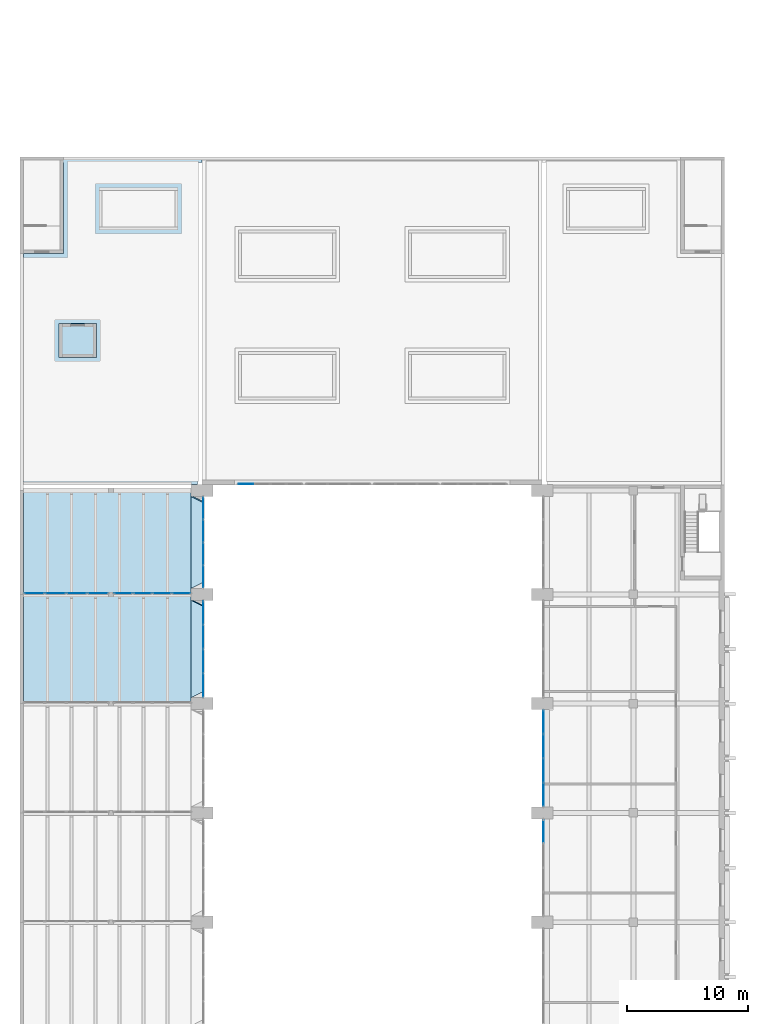
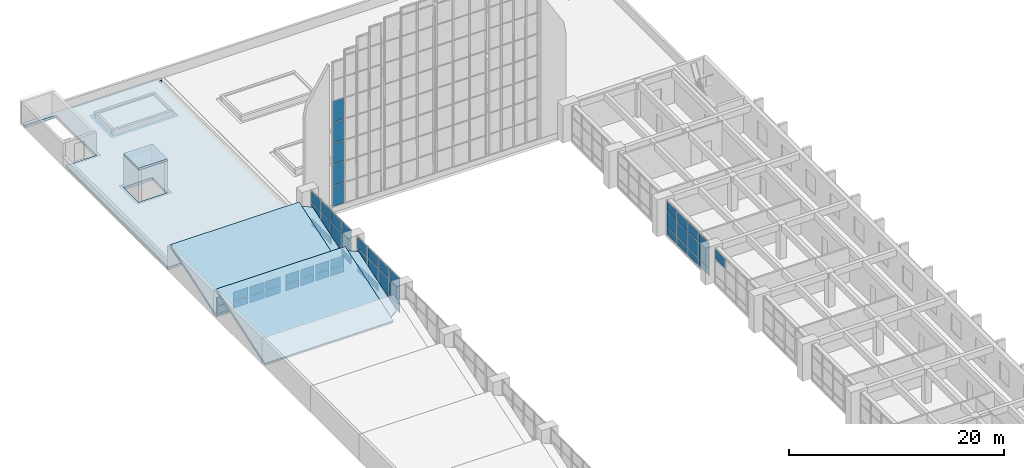
# One storey, part 26 of 43: 58 plates, 6 slabs, 13 elements without a shape of their own.
"""IFC4 building model written with IfcOpenShell, lengths in metres."""

from ifc_helpers import new_model, si_unit, direction, frame, origin, origin_2d, place, context, subcontext, project, spatial, polyline, rectangle, outline, extrude, material, layer, layer_set, type_object, element, aggregate, save


model = new_model("IFC4")

# Units and contexts
model_context = context("Model", 3, precision=1e-05, world=origin(), true_north=direction((0.0, 1.0)))
body_context = subcontext(model_context, "Body", "Model", "MODEL_VIEW")
ifc_project = project(units=[si_unit("LENGTHUNIT", "METRE"), si_unit("AREAUNIT", "SQUARE_METRE"), si_unit("VOLUMEUNIT", "CUBIC_METRE"), si_unit("PLANEANGLEUNIT", "RADIAN"), si_unit("MASSUNIT", "GRAM", prefix="KILO")], contexts=[model_context])

# Site, building, storey
site_placement = place(None, origin())
site = spatial("IfcSite", under=ifc_project, at=site_placement, CompositionType="ELEMENT")
building_placement = place(site_placement, origin())
building = spatial("IfcBuilding", under=site, at=building_placement, Name="Elmora Arch Market Hall", CompositionType="ELEMENT")
storey_placement = place(building_placement, frame((0.0, 0.0, 10.199951171875)))
storey = spatial("IfcBuildingStorey", under=building, at=storey_placement, Name="L02", CompositionType="ELEMENT", Elevation=10.199951171875)

# Curtain wall, plate
ifc_material_1 = material(Name="Aluminium", Category="aluminium")
curtain_wall_type_1 = type_object("IfcCurtainWallType", Name="Hall front curtain wall", PredefinedType="NOTDEFINED", material=ifc_material_1)
curtain_wall_1_placement = place(storey_placement, origin())
curtain_wall_1 = element("IfcCurtainWall", 1, at=curtain_wall_1_placement, inside=storey, type_object=curtain_wall_type_1, Name="Wing front E L02 5", PredefinedType="NOTDEFINED")
ifc_material_2 = material(Name="Glass", Category="glass")
ifc_layer_1 = layer(ifc_material_2, 0.028076171875)
ifc_layer_set_1 = layer_set([ifc_layer_1], Name="Glass")
plate_type = type_object("IfcPlateType", Name="Glass panel 28", PredefinedType="CURTAIN_PANEL", material=ifc_layer_set_1)
plate_1_placement = place(storey_placement, frame((43.10009765625, 70.47998046875, 2.72998046875), z_axis=(0.0, 0.0, 1.0), x_axis=(0.0, 1.0, 0.0)))
plate_1 = element("IfcPlate", 2, at=plate_1_placement, type_object=plate_type, Name="CW2 panel 4.3", PredefinedType="CURTAIN_PANEL", context=body_context, shape_type="SweptSolid", body=[
    extrude(rectangle(XDim=1.8798828125, YDim=0.028076171875, at=origin_2d()), origin(), (0.0, 0.0, 1.0), 1.110107421875),
])
aggregate(curtain_wall_1, [plate_1])

# Curtain wall, plates
curtain_wall_2_placement = place(storey_placement, origin())
curtain_wall_2 = element("IfcCurtainWall", 3, at=curtain_wall_2_placement, inside=storey, type_object=curtain_wall_type_1, Name="Wing front E L02 6", PredefinedType="NOTDEFINED")
plate_2_placement = place(storey_placement, frame((43.10009765625, 73.52001953125, 0.06005859375), z_axis=(0.0, 0.0, 1.0), x_axis=(0.0, 1.0, 0.0)))
plate_2 = element("IfcPlate", 4, at=plate_2_placement, type_object=plate_type, Name="CW2 panel 1.1", PredefinedType="CURTAIN_PANEL", context=body_context, shape_type="SweptSolid", body=[
    extrude(rectangle(XDim=1.8798828125, YDim=0.028076171875, at=origin_2d()), origin(), (0.0, 0.0, 1.0), 0.81005859375),
])
plate_3_placement = place(storey_placement, frame((43.10009765625, 73.52001953125, 0.93017578125), z_axis=(0.0, 0.0, 1.0), x_axis=(0.0, 1.0, 0.0)))
plate_3 = element("IfcPlate", 5, at=plate_3_placement, type_object=plate_type, Name="CW2 panel 1.2", PredefinedType="CURTAIN_PANEL", context=body_context, shape_type="SweptSolid", body=[
    extrude(rectangle(XDim=1.8798828125, YDim=0.028076171875, at=origin_2d()), origin(), (0.0, 0.0, 1.0), 1.739990234375),
])
plate_4_placement = place(storey_placement, frame((43.10009765625, 73.52001953125, 2.72998046875), z_axis=(0.0, 0.0, 1.0), x_axis=(0.0, 1.0, 0.0)))
plate_4 = element("IfcPlate", 6, at=plate_4_placement, type_object=plate_type, Name="CW2 panel 1.3", PredefinedType="CURTAIN_PANEL", context=body_context, shape_type="SweptSolid", body=[
    extrude(rectangle(XDim=1.8798828125, YDim=0.028076171875, at=origin_2d()), origin(), (0.0, 0.0, 1.0), 1.110107421875),
])
plate_5_placement = place(storey_placement, frame((43.10009765625, 75.5, 0.06005859375), z_axis=(0.0, 0.0, 1.0), x_axis=(0.0, 1.0, 0.0)))
plate_5 = element("IfcPlate", 7, at=plate_5_placement, type_object=plate_type, Name="CW2 panel 2.1", PredefinedType="CURTAIN_PANEL", context=body_context, shape_type="SweptSolid", body=[
    extrude(rectangle(XDim=1.919921875, YDim=0.028076171875, at=origin_2d()), origin(), (0.0, 0.0, 1.0), 0.81005859375),
])
plate_6_placement = place(storey_placement, frame((43.10009765625, 75.5, 0.93017578125), z_axis=(0.0, 0.0, 1.0), x_axis=(0.0, 1.0, 0.0)))
plate_6 = element("IfcPlate", 8, at=plate_6_placement, type_object=plate_type, Name="CW2 panel 2.2", PredefinedType="CURTAIN_PANEL", context=body_context, shape_type="SweptSolid", body=[
    extrude(rectangle(XDim=1.919921875, YDim=0.028076171875, at=origin_2d()), origin(), (0.0, 0.0, 1.0), 1.739990234375),
])
plate_7_placement = place(storey_placement, frame((43.10009765625, 75.5, 2.72998046875), z_axis=(0.0, 0.0, 1.0), x_axis=(0.0, 1.0, 0.0)))
plate_7 = element("IfcPlate", 9, at=plate_7_placement, type_object=plate_type, Name="CW2 panel 2.3", PredefinedType="CURTAIN_PANEL", context=body_context, shape_type="SweptSolid", body=[
    extrude(rectangle(XDim=1.919921875, YDim=0.028076171875, at=origin_2d()), origin(), (0.0, 0.0, 1.0), 1.110107421875),
])
plate_8_placement = place(storey_placement, frame((43.10009765625, 77.5, 0.06005859375), z_axis=(0.0, 0.0, 1.0), x_axis=(0.0, 1.0, 0.0)))
plate_8 = element("IfcPlate", 10, at=plate_8_placement, type_object=plate_type, Name="CW2 panel 3.1", PredefinedType="CURTAIN_PANEL", context=body_context, shape_type="SweptSolid", body=[
    extrude(rectangle(XDim=1.919921875, YDim=0.028076171875, at=origin_2d()), origin(), (0.0, 0.0, 1.0), 0.81005859375),
])
plate_9_placement = place(storey_placement, frame((43.10009765625, 77.5, 0.93017578125), z_axis=(0.0, 0.0, 1.0), x_axis=(0.0, 1.0, 0.0)))
plate_9 = element("IfcPlate", 11, at=plate_9_placement, type_object=plate_type, Name="CW2 panel 3.2", PredefinedType="CURTAIN_PANEL", context=body_context, shape_type="SweptSolid", body=[
    extrude(rectangle(XDim=1.919921875, YDim=0.028076171875, at=origin_2d()), origin(), (0.0, 0.0, 1.0), 1.739990234375),
])
plate_10_placement = place(storey_placement, frame((43.10009765625, 77.5, 2.72998046875), z_axis=(0.0, 0.0, 1.0), x_axis=(0.0, 1.0, 0.0)))
plate_10 = element("IfcPlate", 12, at=plate_10_placement, type_object=plate_type, Name="CW2 panel 3.3", PredefinedType="CURTAIN_PANEL", context=body_context, shape_type="SweptSolid", body=[
    extrude(rectangle(XDim=1.919921875, YDim=0.028076171875, at=origin_2d()), origin(), (0.0, 0.0, 1.0), 1.110107421875),
])
plate_11_placement = place(storey_placement, frame((43.10009765625, 79.47998046875, 0.06005859375), z_axis=(0.0, 0.0, 1.0), x_axis=(0.0, 1.0, 0.0)))
plate_11 = element("IfcPlate", 13, at=plate_11_placement, type_object=plate_type, Name="CW2 panel 4.1", PredefinedType="CURTAIN_PANEL", context=body_context, shape_type="SweptSolid", body=[
    extrude(rectangle(XDim=1.8798828125, YDim=0.028076171875, at=origin_2d()), origin(), (0.0, 0.0, 1.0), 0.81005859375),
])
plate_12_placement = place(storey_placement, frame((43.10009765625, 79.47998046875, 0.93017578125), z_axis=(0.0, 0.0, 1.0), x_axis=(0.0, 1.0, 0.0)))
plate_12 = element("IfcPlate", 14, at=plate_12_placement, type_object=plate_type, Name="CW2 panel 4.2", PredefinedType="CURTAIN_PANEL", context=body_context, shape_type="SweptSolid", body=[
    extrude(rectangle(XDim=1.8798828125, YDim=0.028076171875, at=origin_2d()), origin(), (0.0, 0.0, 1.0), 1.739990234375),
])
plate_13_placement = place(storey_placement, frame((43.10009765625, 79.47998046875, 2.72998046875), z_axis=(0.0, 0.0, 1.0), x_axis=(0.0, 1.0, 0.0)))
plate_13 = element("IfcPlate", 15, at=plate_13_placement, type_object=plate_type, Name="CW2 panel 4.3", PredefinedType="CURTAIN_PANEL", context=body_context, shape_type="SweptSolid", body=[
    extrude(rectangle(XDim=1.8798828125, YDim=0.028076171875, at=origin_2d()), origin(), (0.0, 0.0, 1.0), 1.110107421875),
])
aggregate(curtain_wall_2, [plate_2, plate_3, plate_4, plate_5, plate_6, plate_7, plate_8, plate_9, plate_10, plate_11, plate_12, plate_13])

ifc_material_3 = material(Name="Aluminium", Category="aluminium")
curtain_wall_type_2 = type_object("IfcCurtainWallType", Name="Gable curtain wall", PredefinedType="NOTDEFINED", material=ifc_material_3)
curtain_wall_3_placement = place(storey_placement, origin())
curtain_wall_3 = element("IfcCurtainWall", 16, at=curtain_wall_3_placement, inside=storey, type_object=curtain_wall_type_2, Name="North gable glazing 1", PredefinedType="NOTDEFINED")
plate_14_placement = place(storey_placement, frame((18.612548828125, 99.080078125, 0.659912109375), z_axis=(0.0, 0.0, 1.0), x_axis=(1.0, 0.0, 0.0)))
plate_14 = element("IfcPlate", 17, at=plate_14_placement, type_object=plate_type, Name="CW8 panel 1.1", PredefinedType="CURTAIN_PANEL", context=body_context, shape_type="SweptSolid", body=[
    extrude(rectangle(XDim=1.205078125, YDim=0.028076171875, at=origin_2d()), origin(), (0.0, 0.0, 1.0), 2.31005859375),
])
plate_15_placement = place(storey_placement, frame((18.612548828125, 99.080078125, 3.02978515625), z_axis=(0.0, 0.0, 1.0), x_axis=(1.0, 0.0, 0.0)))
plate_15 = element("IfcPlate", 18, at=plate_15_placement, type_object=plate_type, Name="CW8 panel 1.2", PredefinedType="CURTAIN_PANEL", context=body_context, shape_type="SweptSolid", body=[
    extrude(rectangle(XDim=1.205078125, YDim=0.028076171875, at=origin_2d()), origin(), (0.0, 0.0, 1.0), 2.340087890625),
])
plate_16_placement = place(storey_placement, frame((18.612548828125, 99.080078125, 5.43017578125), z_axis=(0.0, 0.0, 1.0), x_axis=(1.0, 0.0, 0.0)))
plate_16 = element("IfcPlate", 19, at=plate_16_placement, type_object=plate_type, Name="CW8 panel 1.3", PredefinedType="CURTAIN_PANEL", context=body_context, shape_type="SweptSolid", body=[
    extrude(rectangle(XDim=1.205078125, YDim=0.028076171875, at=origin_2d()), origin(), (0.0, 0.0, 1.0), 2.340087890625),
])
plate_17_placement = place(storey_placement, frame((18.612548828125, 99.080078125, 7.830078125), z_axis=(0.0, 0.0, 1.0), x_axis=(1.0, 0.0, 0.0)))
plate_17 = element("IfcPlate", 20, at=plate_17_placement, type_object=plate_type, Name="CW8 panel 1.4", PredefinedType="CURTAIN_PANEL", context=body_context, shape_type="SweptSolid", body=[
    extrude(rectangle(XDim=1.205078125, YDim=0.028076171875, at=origin_2d()), origin(), (0.0, 0.0, 1.0), 2.340087890625),
])
plate_18_placement = place(storey_placement, frame((18.612548828125, 99.080078125, 10.22998046875), z_axis=(0.0, 0.0, 1.0), x_axis=(1.0, 0.0, 0.0)))
plate_18 = element("IfcPlate", 21, at=plate_18_placement, type_object=plate_type, Name="CW8 panel 1.5", PredefinedType="CURTAIN_PANEL", context=body_context, shape_type="SweptSolid", body=[
    extrude(rectangle(XDim=1.205078125, YDim=0.028076171875, at=origin_2d()), origin(), (0.0, 0.0, 1.0), 2.340087890625),
])
aggregate(curtain_wall_3, [plate_14, plate_15, plate_16, plate_17, plate_18])

curtain_wall_4_placement = place(storey_placement, origin())
curtain_wall_4 = element("IfcCurtainWall", 22, at=curtain_wall_4_placement, inside=storey, type_object=curtain_wall_type_1, Name="Hall west glazing L02 7", PredefinedType="NOTDEFINED")
plate_19_placement = place(storey_placement, frame((15.090087890625, 82.52001953125, 0.226806640625), z_axis=(0.0, 0.0, 1.0), x_axis=(0.0, 1.0, 0.0)))
plate_19 = element("IfcPlate", 23, at=plate_19_placement, type_object=plate_type, Name="CW2 panel 1.1", PredefinedType="CURTAIN_PANEL", context=body_context, shape_type="SweptSolid", body=[
    extrude(rectangle(XDim=1.8798828125, YDim=0.028076171875, at=origin_2d()), origin(), (0.0, 0.0, 1.0), 0.81005859375),
])
plate_20_placement = place(storey_placement, frame((15.090087890625, 82.52001953125, 1.0966796875), z_axis=(0.0, 0.0, 1.0), x_axis=(0.0, 1.0, 0.0)))
plate_20 = element("IfcPlate", 24, at=plate_20_placement, type_object=plate_type, Name="CW2 panel 1.2", PredefinedType="CURTAIN_PANEL", context=body_context, shape_type="SweptSolid", body=[
    extrude(rectangle(XDim=1.8798828125, YDim=0.028076171875, at=origin_2d()), origin(), (0.0, 0.0, 1.0), 1.739990234375),
])
plate_21_placement = place(storey_placement, frame((15.090087890625, 82.52001953125, 2.896484375), z_axis=(0.0, 0.0, 1.0), x_axis=(0.0, 1.0, 0.0)))
plate_21 = element("IfcPlate", 25, at=plate_21_placement, type_object=plate_type, Name="CW2 panel 1.3", PredefinedType="CURTAIN_PANEL", context=body_context, shape_type="SweptSolid", body=[
    extrude(rectangle(XDim=1.8798828125, YDim=0.028076171875, at=origin_2d()), origin(), (0.0, 0.0, 1.0), 1.243408203125),
])
plate_22_placement = place(storey_placement, frame((15.090087890625, 84.5, 0.226806640625), z_axis=(0.0, 0.0, 1.0), x_axis=(0.0, 1.0, 0.0)))
plate_22 = element("IfcPlate", 26, at=plate_22_placement, type_object=plate_type, Name="CW2 panel 2.1", PredefinedType="CURTAIN_PANEL", context=body_context, shape_type="SweptSolid", body=[
    extrude(rectangle(XDim=1.919921875, YDim=0.028076171875, at=origin_2d()), origin(), (0.0, 0.0, 1.0), 0.81005859375),
])
plate_23_placement = place(storey_placement, frame((15.090087890625, 84.5, 1.0966796875), z_axis=(0.0, 0.0, 1.0), x_axis=(0.0, 1.0, 0.0)))
plate_23 = element("IfcPlate", 27, at=plate_23_placement, type_object=plate_type, Name="CW2 panel 2.2", PredefinedType="CURTAIN_PANEL", context=body_context, shape_type="SweptSolid", body=[
    extrude(rectangle(XDim=1.919921875, YDim=0.028076171875, at=origin_2d()), origin(), (0.0, 0.0, 1.0), 1.739990234375),
])
plate_24_placement = place(storey_placement, frame((15.090087890625, 84.5, 2.896484375), z_axis=(0.0, 0.0, 1.0), x_axis=(0.0, 1.0, 0.0)))
plate_24 = element("IfcPlate", 28, at=plate_24_placement, type_object=plate_type, Name="CW2 panel 2.3", PredefinedType="CURTAIN_PANEL", context=body_context, shape_type="SweptSolid", body=[
    extrude(rectangle(XDim=1.919921875, YDim=0.028076171875, at=origin_2d()), origin(), (0.0, 0.0, 1.0), 1.243408203125),
])
plate_25_placement = place(storey_placement, frame((15.090087890625, 86.5, 0.226806640625), z_axis=(0.0, 0.0, 1.0), x_axis=(0.0, 1.0, 0.0)))
plate_25 = element("IfcPlate", 29, at=plate_25_placement, type_object=plate_type, Name="CW2 panel 3.1", PredefinedType="CURTAIN_PANEL", context=body_context, shape_type="SweptSolid", body=[
    extrude(rectangle(XDim=1.919921875, YDim=0.028076171875, at=origin_2d()), origin(), (0.0, 0.0, 1.0), 0.81005859375),
])
plate_26_placement = place(storey_placement, frame((15.090087890625, 86.5, 1.0966796875), z_axis=(0.0, 0.0, 1.0), x_axis=(0.0, 1.0, 0.0)))
plate_26 = element("IfcPlate", 30, at=plate_26_placement, type_object=plate_type, Name="CW2 panel 3.2", PredefinedType="CURTAIN_PANEL", context=body_context, shape_type="SweptSolid", body=[
    extrude(rectangle(XDim=1.919921875, YDim=0.028076171875, at=origin_2d()), origin(), (0.0, 0.0, 1.0), 1.739990234375),
])
plate_27_placement = place(storey_placement, frame((15.090087890625, 86.5, 2.896484375), z_axis=(0.0, 0.0, 1.0), x_axis=(0.0, 1.0, 0.0)))
plate_27 = element("IfcPlate", 31, at=plate_27_placement, type_object=plate_type, Name="CW2 panel 3.3", PredefinedType="CURTAIN_PANEL", context=body_context, shape_type="SweptSolid", body=[
    extrude(rectangle(XDim=1.919921875, YDim=0.028076171875, at=origin_2d()), origin(), (0.0, 0.0, 1.0), 1.243408203125),
])
plate_28_placement = place(storey_placement, frame((15.090087890625, 88.47998046875, 0.226806640625), z_axis=(0.0, 0.0, 1.0), x_axis=(0.0, 1.0, 0.0)))
plate_28 = element("IfcPlate", 32, at=plate_28_placement, type_object=plate_type, Name="CW2 panel 4.1", PredefinedType="CURTAIN_PANEL", context=body_context, shape_type="SweptSolid", body=[
    extrude(rectangle(XDim=1.8798828125, YDim=0.028076171875, at=origin_2d()), origin(), (0.0, 0.0, 1.0), 0.81005859375),
])
plate_29_placement = place(storey_placement, frame((15.090087890625, 88.47998046875, 1.0966796875), z_axis=(0.0, 0.0, 1.0), x_axis=(0.0, 1.0, 0.0)))
plate_29 = element("IfcPlate", 33, at=plate_29_placement, type_object=plate_type, Name="CW2 panel 4.2", PredefinedType="CURTAIN_PANEL", context=body_context, shape_type="SweptSolid", body=[
    extrude(rectangle(XDim=1.8798828125, YDim=0.028076171875, at=origin_2d()), origin(), (0.0, 0.0, 1.0), 1.739990234375),
])
plate_30_placement = place(storey_placement, frame((15.090087890625, 88.47998046875, 2.896484375), z_axis=(0.0, 0.0, 1.0), x_axis=(0.0, 1.0, 0.0)))
plate_30 = element("IfcPlate", 34, at=plate_30_placement, type_object=plate_type, Name="CW2 panel 4.3", PredefinedType="CURTAIN_PANEL", context=body_context, shape_type="SweptSolid", body=[
    extrude(rectangle(XDim=1.8798828125, YDim=0.028076171875, at=origin_2d()), origin(), (0.0, 0.0, 1.0), 1.243408203125),
])
aggregate(curtain_wall_4, [plate_19, plate_20, plate_21, plate_22, plate_23, plate_24, plate_25, plate_26, plate_27, plate_28, plate_29, plate_30])

curtain_wall_5_placement = place(storey_placement, origin())
curtain_wall_5 = element("IfcCurtainWall", 35, at=curtain_wall_5_placement, inside=storey, type_object=curtain_wall_type_1, Name="Hall west glazing L02 8", PredefinedType="NOTDEFINED")
plate_31_placement = place(storey_placement, frame((15.090087890625, 91.4638671875, 0.226806640625), z_axis=(0.0, 0.0, 1.0), x_axis=(0.0, 1.0, 0.0)))
plate_31 = element("IfcPlate", 36, at=plate_31_placement, type_object=plate_type, Name="CW2 panel 1.1", PredefinedType="CURTAIN_PANEL", context=body_context, shape_type="SweptSolid", body=[
    extrude(rectangle(XDim=1.767578125, YDim=0.028076171875, at=origin_2d()), origin(), (0.0, 0.0, 1.0), 0.81005859375),
])
plate_32_placement = place(storey_placement, frame((15.090087890625, 91.4638671875, 1.0966796875), z_axis=(0.0, 0.0, 1.0), x_axis=(0.0, 1.0, 0.0)))
plate_32 = element("IfcPlate", 37, at=plate_32_placement, type_object=plate_type, Name="CW2 panel 1.2", PredefinedType="CURTAIN_PANEL", context=body_context, shape_type="SweptSolid", body=[
    extrude(rectangle(XDim=1.767578125, YDim=0.028076171875, at=origin_2d()), origin(), (0.0, 0.0, 1.0), 1.739990234375),
])
plate_33_placement = place(storey_placement, frame((15.090087890625, 91.4638671875, 2.896484375), z_axis=(0.0, 0.0, 1.0), x_axis=(0.0, 1.0, 0.0)))
plate_33 = element("IfcPlate", 38, at=plate_33_placement, type_object=plate_type, Name="CW2 panel 1.3", PredefinedType="CURTAIN_PANEL", context=body_context, shape_type="SweptSolid", body=[
    extrude(rectangle(XDim=1.767578125, YDim=0.028076171875, at=origin_2d()), origin(), (0.0, 0.0, 1.0), 1.243408203125),
])
plate_34_placement = place(storey_placement, frame((15.090087890625, 93.331298828125, 0.226806640625), z_axis=(0.0, 0.0, 1.0), x_axis=(0.0, 1.0, 0.0)))
plate_34 = element("IfcPlate", 39, at=plate_34_placement, type_object=plate_type, Name="CW2 panel 2.1", PredefinedType="CURTAIN_PANEL", context=body_context, shape_type="SweptSolid", body=[
    extrude(rectangle(XDim=1.8076171875, YDim=0.028076171875, at=origin_2d()), origin(), (0.0, 0.0, 1.0), 0.81005859375),
])
plate_35_placement = place(storey_placement, frame((15.090087890625, 93.331298828125, 1.0966796875), z_axis=(0.0, 0.0, 1.0), x_axis=(0.0, 1.0, 0.0)))
plate_35 = element("IfcPlate", 40, at=plate_35_placement, type_object=plate_type, Name="CW2 panel 2.2", PredefinedType="CURTAIN_PANEL", context=body_context, shape_type="SweptSolid", body=[
    extrude(rectangle(XDim=1.8076171875, YDim=0.028076171875, at=origin_2d()), origin(), (0.0, 0.0, 1.0), 1.739990234375),
])
plate_36_placement = place(storey_placement, frame((15.090087890625, 93.331298828125, 2.896484375), z_axis=(0.0, 0.0, 1.0), x_axis=(0.0, 1.0, 0.0)))
plate_36 = element("IfcPlate", 41, at=plate_36_placement, type_object=plate_type, Name="CW2 panel 2.3", PredefinedType="CURTAIN_PANEL", context=body_context, shape_type="SweptSolid", body=[
    extrude(rectangle(XDim=1.8076171875, YDim=0.028076171875, at=origin_2d()), origin(), (0.0, 0.0, 1.0), 1.243408203125),
])
plate_37_placement = place(storey_placement, frame((15.090087890625, 95.21875, 0.226806640625), z_axis=(0.0, 0.0, 1.0), x_axis=(0.0, 1.0, 0.0)))
plate_37 = element("IfcPlate", 42, at=plate_37_placement, type_object=plate_type, Name="CW2 panel 3.1", PredefinedType="CURTAIN_PANEL", context=body_context, shape_type="SweptSolid", body=[
    extrude(rectangle(XDim=1.8076171875, YDim=0.028076171875, at=origin_2d()), origin(), (0.0, 0.0, 1.0), 0.81005859375),
])
plate_38_placement = place(storey_placement, frame((15.090087890625, 95.21875, 1.0966796875), z_axis=(0.0, 0.0, 1.0), x_axis=(0.0, 1.0, 0.0)))
plate_38 = element("IfcPlate", 43, at=plate_38_placement, type_object=plate_type, Name="CW2 panel 3.2", PredefinedType="CURTAIN_PANEL", context=body_context, shape_type="SweptSolid", body=[
    extrude(rectangle(XDim=1.8076171875, YDim=0.028076171875, at=origin_2d()), origin(), (0.0, 0.0, 1.0), 1.739990234375),
])
plate_39_placement = place(storey_placement, frame((15.090087890625, 95.21875, 2.896484375), z_axis=(0.0, 0.0, 1.0), x_axis=(0.0, 1.0, 0.0)))
plate_39 = element("IfcPlate", 44, at=plate_39_placement, type_object=plate_type, Name="CW2 panel 3.3", PredefinedType="CURTAIN_PANEL", context=body_context, shape_type="SweptSolid", body=[
    extrude(rectangle(XDim=1.8076171875, YDim=0.028076171875, at=origin_2d()), origin(), (0.0, 0.0, 1.0), 1.243408203125),
])
plate_40_placement = place(storey_placement, frame((15.090087890625, 97.086181640625, 0.226806640625), z_axis=(0.0, 0.0, 1.0), x_axis=(0.0, 1.0, 0.0)))
plate_40 = element("IfcPlate", 45, at=plate_40_placement, type_object=plate_type, Name="CW2 panel 4.1", PredefinedType="CURTAIN_PANEL", context=body_context, shape_type="SweptSolid", body=[
    extrude(rectangle(XDim=1.767578125, YDim=0.028076171875, at=origin_2d()), origin(), (0.0, 0.0, 1.0), 0.81005859375),
])
plate_41_placement = place(storey_placement, frame((15.090087890625, 97.086181640625, 1.0966796875), z_axis=(0.0, 0.0, 1.0), x_axis=(0.0, 1.0, 0.0)))
plate_41 = element("IfcPlate", 46, at=plate_41_placement, type_object=plate_type, Name="CW2 panel 4.2", PredefinedType="CURTAIN_PANEL", context=body_context, shape_type="SweptSolid", body=[
    extrude(rectangle(XDim=1.767578125, YDim=0.028076171875, at=origin_2d()), origin(), (0.0, 0.0, 1.0), 1.739990234375),
])
plate_42_placement = place(storey_placement, frame((15.090087890625, 97.086181640625, 2.896484375), z_axis=(0.0, 0.0, 1.0), x_axis=(0.0, 1.0, 0.0)))
plate_42 = element("IfcPlate", 47, at=plate_42_placement, type_object=plate_type, Name="CW2 panel 4.3", PredefinedType="CURTAIN_PANEL", context=body_context, shape_type="SweptSolid", body=[
    extrude(rectangle(XDim=1.767578125, YDim=0.028076171875, at=origin_2d()), origin(), (0.0, 0.0, 1.0), 1.243408203125),
])
aggregate(curtain_wall_5, [plate_31, plate_32, plate_33, plate_34, plate_35, plate_36, plate_37, plate_38, plate_39, plate_40, plate_41, plate_42])

ifc_material_4 = material(Name="Aluminium", Category="aluminium")
curtain_wall_type_3 = type_object("IfcCurtainWallType", Name="Sawtooth glazing curtain wall", PredefinedType="NOTDEFINED", material=ifc_material_4)
curtain_wall_6_placement = place(storey_placement, origin())
curtain_wall_6 = element("IfcCurtainWall", 48, at=curtain_wall_6_placement, inside=storey, type_object=curtain_wall_type_3, Name="Sawtooth riser 7 part 1.1", PredefinedType="NOTDEFINED")
plate_43_placement = place(storey_placement, frame((1.175048828125, 90.090087890625, 0.090087890625), z_axis=(0.0, 0.0, 1.0), x_axis=(1.0, 0.0, 0.0)))
plate_43 = element("IfcPlate", 49, at=plate_43_placement, type_object=plate_type, Name="CW7 panel 1.1", PredefinedType="CURTAIN_PANEL", context=body_context, shape_type="SweptSolid", body=[
    extrude(rectangle(XDim=1.590087890625, YDim=0.028076171875, at=origin_2d()), origin(), (0.0, 0.0, 1.0), 0.81005859375),
])
plate_44_placement = place(storey_placement, frame((1.175048828125, 90.090087890625, 0.9599609375), z_axis=(0.0, 0.0, 1.0), x_axis=(1.0, 0.0, 0.0)))
plate_44 = element("IfcPlate", 50, at=plate_44_placement, type_object=plate_type, Name="CW7 panel 1.2", PredefinedType="CURTAIN_PANEL", context=body_context, shape_type="SweptSolid", body=[
    extrude(rectangle(XDim=1.590087890625, YDim=0.028076171875, at=origin_2d()), origin(), (0.0, 0.0, 1.0), 0.97998046875),
])
aggregate(curtain_wall_6, [plate_43, plate_44])

curtain_wall_7_placement = place(storey_placement, origin())
curtain_wall_7 = element("IfcCurtainWall", 51, at=curtain_wall_7_placement, inside=storey, type_object=curtain_wall_type_3, Name="Sawtooth riser 7 part 1.2", PredefinedType="NOTDEFINED")
plate_45_placement = place(storey_placement, frame((2.925048828125, 90.090087890625, 0.090087890625), z_axis=(0.0, 0.0, 1.0), x_axis=(1.0, 0.0, 0.0)))
plate_45 = element("IfcPlate", 52, at=plate_45_placement, type_object=plate_type, Name="CW7 panel 1.1", PredefinedType="CURTAIN_PANEL", context=body_context, shape_type="SweptSolid", body=[
    extrude(rectangle(XDim=1.590087890625, YDim=0.028076171875, at=origin_2d()), origin(), (0.0, 0.0, 1.0), 0.81005859375),
])
plate_46_placement = place(storey_placement, frame((2.925048828125, 90.090087890625, 0.9599609375), z_axis=(0.0, 0.0, 1.0), x_axis=(1.0, 0.0, 0.0)))
plate_46 = element("IfcPlate", 53, at=plate_46_placement, type_object=plate_type, Name="CW7 panel 1.2", PredefinedType="CURTAIN_PANEL", context=body_context, shape_type="SweptSolid", body=[
    extrude(rectangle(XDim=1.590087890625, YDim=0.028076171875, at=origin_2d()), origin(), (0.0, 0.0, 1.0), 0.97998046875),
])
aggregate(curtain_wall_7, [plate_45, plate_46])

curtain_wall_8_placement = place(storey_placement, origin())
curtain_wall_8 = element("IfcCurtainWall", 54, at=curtain_wall_8_placement, inside=storey, type_object=curtain_wall_type_3, Name="Sawtooth riser 7 part 1.3", PredefinedType="NOTDEFINED")
plate_47_placement = place(storey_placement, frame((4.675048828125, 90.090087890625, 0.090087890625), z_axis=(0.0, 0.0, 1.0), x_axis=(1.0, 0.0, 0.0)))
plate_47 = element("IfcPlate", 55, at=plate_47_placement, type_object=plate_type, Name="CW7 panel 1.1", PredefinedType="CURTAIN_PANEL", context=body_context, shape_type="SweptSolid", body=[
    extrude(rectangle(XDim=1.590087890625, YDim=0.028076171875, at=origin_2d()), origin(), (0.0, 0.0, 1.0), 0.81005859375),
])
plate_48_placement = place(storey_placement, frame((4.675048828125, 90.090087890625, 0.9599609375), z_axis=(0.0, 0.0, 1.0), x_axis=(1.0, 0.0, 0.0)))
plate_48 = element("IfcPlate", 56, at=plate_48_placement, type_object=plate_type, Name="CW7 panel 1.2", PredefinedType="CURTAIN_PANEL", context=body_context, shape_type="SweptSolid", body=[
    extrude(rectangle(XDim=1.590087890625, YDim=0.028076171875, at=origin_2d()), origin(), (0.0, 0.0, 1.0), 0.97998046875),
])
aggregate(curtain_wall_8, [plate_47, plate_48])

curtain_wall_9_placement = place(storey_placement, origin())
curtain_wall_9 = element("IfcCurtainWall", 57, at=curtain_wall_9_placement, inside=storey, type_object=curtain_wall_type_3, Name="Sawtooth riser 7 part 1.4", PredefinedType="NOTDEFINED")
plate_49_placement = place(storey_placement, frame((6.425048828125, 90.090087890625, 0.090087890625), z_axis=(0.0, 0.0, 1.0), x_axis=(1.0, 0.0, 0.0)))
plate_49 = element("IfcPlate", 58, at=plate_49_placement, type_object=plate_type, Name="CW7 panel 1.1", PredefinedType="CURTAIN_PANEL", context=body_context, shape_type="SweptSolid", body=[
    extrude(rectangle(XDim=1.590087890625, YDim=0.028076171875, at=origin_2d()), origin(), (0.0, 0.0, 1.0), 0.81005859375),
])
plate_50_placement = place(storey_placement, frame((6.425048828125, 90.090087890625, 0.9599609375), z_axis=(0.0, 0.0, 1.0), x_axis=(1.0, 0.0, 0.0)))
plate_50 = element("IfcPlate", 59, at=plate_50_placement, type_object=plate_type, Name="CW7 panel 1.2", PredefinedType="CURTAIN_PANEL", context=body_context, shape_type="SweptSolid", body=[
    extrude(rectangle(XDim=1.590087890625, YDim=0.028076171875, at=origin_2d()), origin(), (0.0, 0.0, 1.0), 0.97998046875),
])
aggregate(curtain_wall_9, [plate_49, plate_50])

curtain_wall_10_placement = place(storey_placement, origin())
curtain_wall_10 = element("IfcCurtainWall", 60, at=curtain_wall_10_placement, inside=storey, type_object=curtain_wall_type_3, Name="Sawtooth riser 7 part 2.1", PredefinedType="NOTDEFINED")
plate_51_placement = place(storey_placement, frame((8.5, 90.090087890625, 0.090087890625), z_axis=(0.0, 0.0, 1.0), x_axis=(1.0, 0.0, 0.0)))
plate_51 = element("IfcPlate", 61, at=plate_51_placement, type_object=plate_type, Name="CW7 panel 1.1", PredefinedType="CURTAIN_PANEL", context=body_context, shape_type="SweptSolid", body=[
    extrude(rectangle(XDim=1.43994140625, YDim=0.028076171875, at=origin_2d()), origin(), (0.0, 0.0, 1.0), 0.81005859375),
])
plate_52_placement = place(storey_placement, frame((8.5, 90.090087890625, 0.9599609375), z_axis=(0.0, 0.0, 1.0), x_axis=(1.0, 0.0, 0.0)))
plate_52 = element("IfcPlate", 62, at=plate_52_placement, type_object=plate_type, Name="CW7 panel 1.2", PredefinedType="CURTAIN_PANEL", context=body_context, shape_type="SweptSolid", body=[
    extrude(rectangle(XDim=1.43994140625, YDim=0.028076171875, at=origin_2d()), origin(), (0.0, 0.0, 1.0), 0.97998046875),
])
aggregate(curtain_wall_10, [plate_51, plate_52])

curtain_wall_11_placement = place(storey_placement, origin())
curtain_wall_11 = element("IfcCurtainWall", 63, at=curtain_wall_11_placement, inside=storey, type_object=curtain_wall_type_3, Name="Sawtooth riser 7 part 2.2", PredefinedType="NOTDEFINED")
plate_53_placement = place(storey_placement, frame((10.10009765625, 90.090087890625, 0.090087890625), z_axis=(0.0, 0.0, 1.0), x_axis=(1.0, 0.0, 0.0)))
plate_53 = element("IfcPlate", 64, at=plate_53_placement, type_object=plate_type, Name="CW7 panel 1.1", PredefinedType="CURTAIN_PANEL", context=body_context, shape_type="SweptSolid", body=[
    extrude(rectangle(XDim=1.43994140625, YDim=0.028076171875, at=origin_2d()), origin(), (0.0, 0.0, 1.0), 0.81005859375),
])
plate_54_placement = place(storey_placement, frame((10.10009765625, 90.090087890625, 0.9599609375), z_axis=(0.0, 0.0, 1.0), x_axis=(1.0, 0.0, 0.0)))
plate_54 = element("IfcPlate", 65, at=plate_54_placement, type_object=plate_type, Name="CW7 panel 1.2", PredefinedType="CURTAIN_PANEL", context=body_context, shape_type="SweptSolid", body=[
    extrude(rectangle(XDim=1.43994140625, YDim=0.028076171875, at=origin_2d()), origin(), (0.0, 0.0, 1.0), 0.97998046875),
])
aggregate(curtain_wall_11, [plate_53, plate_54])

curtain_wall_12_placement = place(storey_placement, origin())
curtain_wall_12 = element("IfcCurtainWall", 66, at=curtain_wall_12_placement, inside=storey, type_object=curtain_wall_type_3, Name="Sawtooth riser 7 part 2.3", PredefinedType="NOTDEFINED")
plate_55_placement = place(storey_placement, frame((11.699951171875, 90.090087890625, 0.090087890625), z_axis=(0.0, 0.0, 1.0), x_axis=(1.0, 0.0, 0.0)))
plate_55 = element("IfcPlate", 67, at=plate_55_placement, type_object=plate_type, Name="CW7 panel 1.1", PredefinedType="CURTAIN_PANEL", context=body_context, shape_type="SweptSolid", body=[
    extrude(rectangle(XDim=1.43994140625, YDim=0.028076171875, at=origin_2d()), origin(), (0.0, 0.0, 1.0), 0.81005859375),
])
plate_56_placement = place(storey_placement, frame((11.699951171875, 90.090087890625, 0.9599609375), z_axis=(0.0, 0.0, 1.0), x_axis=(1.0, 0.0, 0.0)))
plate_56 = element("IfcPlate", 68, at=plate_56_placement, type_object=plate_type, Name="CW7 panel 1.2", PredefinedType="CURTAIN_PANEL", context=body_context, shape_type="SweptSolid", body=[
    extrude(rectangle(XDim=1.43994140625, YDim=0.028076171875, at=origin_2d()), origin(), (0.0, 0.0, 1.0), 0.97998046875),
])
aggregate(curtain_wall_12, [plate_55, plate_56])

curtain_wall_13_placement = place(storey_placement, origin())
curtain_wall_13 = element("IfcCurtainWall", 69, at=curtain_wall_13_placement, inside=storey, type_object=curtain_wall_type_3, Name="Sawtooth riser 7 part 2.4", PredefinedType="NOTDEFINED")
plate_57_placement = place(storey_placement, frame((13.300048828125, 90.090087890625, 0.090087890625), z_axis=(0.0, 0.0, 1.0), x_axis=(1.0, 0.0, 0.0)))
plate_57 = element("IfcPlate", 70, at=plate_57_placement, type_object=plate_type, Name="CW7 panel 1.1", PredefinedType="CURTAIN_PANEL", context=body_context, shape_type="SweptSolid", body=[
    extrude(rectangle(XDim=1.43994140625, YDim=0.028076171875, at=origin_2d()), origin(), (0.0, 0.0, 1.0), 0.81005859375),
])
plate_58_placement = place(storey_placement, frame((13.300048828125, 90.090087890625, 0.9599609375), z_axis=(0.0, 0.0, 1.0), x_axis=(1.0, 0.0, 0.0)))
plate_58 = element("IfcPlate", 71, at=plate_58_placement, type_object=plate_type, Name="CW7 panel 1.2", PredefinedType="CURTAIN_PANEL", context=body_context, shape_type="SweptSolid", body=[
    extrude(rectangle(XDim=1.43994140625, YDim=0.028076171875, at=origin_2d()), origin(), (0.0, 0.0, 1.0), 0.97998046875),
])
aggregate(curtain_wall_13, [plate_57, plate_58])

# Slabs
ifc_material_5 = material(Name="Concrete C32/40", Category="concrete")
ifc_layer_2 = layer(ifc_material_5, 0.25)
ifc_layer_set_2 = layer_set([ifc_layer_2], Name="Concrete C32/40")
slab_type_1 = type_object("IfcSlabType", Name="Roof slab 250", PredefinedType="ROOF", material=ifc_layer_set_2)
slab_1_placement = place(storey_placement, frame((0.0, 0.0, 3.60009765625)))
element("IfcSlab", 72, at=slab_1_placement, inside=storey, type_object=slab_type_1, Name="Lift overrun roof PL1", PredefinedType="ROOF", context=body_context, shape_type="SweptSolid", body=[
    extrude(outline(polyline([(6.300048828125, 109.5), (6.300048828125, 112.300048828125), (3.199951171875, 112.300048828125), (3.199951171875, 109.5), (6.300048828125, 109.5)])), origin(), (0.0, 0.0, 1.0), 0.25),
])
ifc_material_6 = material(Name="Concrete C32/40", Category="concrete")
ifc_layer_3 = layer(ifc_material_6, 0.300048828125)
ifc_layer_set_3 = layer_set([ifc_layer_3], Name="Concrete C32/40")
slab_type_2 = type_object("IfcSlabType", Name="Roof slab 300", PredefinedType="ROOF", material=ifc_layer_set_3)
slab_2_placement = place(storey_placement, frame((0.0, 0.0, -0.300048828125)))
element("IfcSlab", 73, at=slab_2_placement, inside=storey, type_object=slab_type_2, Name="Roof slab GARDEN NW", PredefinedType="ROOF", context=body_context, shape_type="SweptSolid", body=[
    extrude(outline(polyline([(15.0, 126.0), (15.0, 125.551025390625), (14.59912109375, 125.551025390625), (14.59912109375, 99.051025390625), (14.09912109375, 99.051025390625), (14.09912109375, 99.0), (0.301025390625, 99.0), (0.301025390625, 118.049072265625), (3.60107421875, 118.049072265625), (3.60107421875, 125.551025390625), (0.301025390625, 125.551025390625), (0.301025390625, 126.0), (15.0, 126.0)]), holes=[polyline([(3.198974609375, 112.301025390625), (3.198974609375, 109.4990234375), (6.301025390625, 109.4990234375), (6.301025390625, 112.301025390625), (3.198974609375, 112.301025390625)])]), origin(), (0.0, 0.0, 1.0), 0.300048828125),
])
slab_3_placement = place(storey_placement, frame((0.300048828125, 81.0, 0.0), z_axis=(0.0, -0.316227766017, 0.948683298051), x_axis=(1.0, 0.0, 0.0)))
element("IfcSlab", 74, at=slab_3_placement, inside=storey, type_object=slab_type_2, Name="Sawtooth roof slab 7", PredefinedType="ROOF", context=body_context, shape_type="SweptSolid", body=[
    extrude(outline(polyline([(0.0, 0.0), (13.800048828125, 0.0), (13.800048828125, 9.486832980505136), (0.0, 9.486832980505136), (0.0, 0.0)])), origin(), (0.0, 0.0, -1.0), 0.300048828125),
])
slab_4_placement = place(storey_placement, frame((14.10009765625, 81.5, 0.166748046875), z_axis=(0.0, -0.316218562901, 0.948686365706), x_axis=(0.884662171457, 0.442308516046, 0.147431404475)))
element("IfcSlab", 75, at=slab_4_placement, inside=storey, type_object=slab_type_2, Name="Sawtooth roof slab 7E", PredefinedType="ROOF", context=body_context, shape_type="SweptSolid", body=[
    extrude(outline(polyline([(0.0, 0.0), (1.0172271097198213, 1.3877787807814457e-17), (4.50658655762858, 6.620953296794749), (3.9315945443055718, 7.460080925563873), (0.0, 0.0)])), origin(), (0.0, 0.0, -1.0), 0.300048828125),
])
slab_5_placement = place(storey_placement, frame((0.300048828125, 90.0, 0.0), z_axis=(0.0, -0.316235892677, 0.948680589125), x_axis=(1.0, 0.0, 0.0)))
element("IfcSlab", 76, at=slab_5_placement, inside=storey, type_object=slab_type_2, Name="Sawtooth roof slab 8", PredefinedType="ROOF", context=body_context, shape_type="SweptSolid", body=[
    extrude(outline(polyline([(0.0, 0.0), (13.800048828125, 0.0), (13.800048828125, 9.012568535854994), (0.0, 9.012568535854994), (0.0, 0.0)])), origin(), (0.0, 0.0, -1.0), 0.300048828125),
])
slab_6_placement = place(storey_placement, frame((14.10009765625, 90.5, 0.166748046875), z_axis=(0.0, -0.316227766017, 0.948683298051), x_axis=(0.884662171752, 0.442307085274, 0.147435695091)))
element("IfcSlab", 77, at=slab_6_placement, inside=storey, type_object=slab_type_2, Name="Sawtooth roof slab 8E", PredefinedType="ROOF", context=body_context, shape_type="SweptSolid", body=[
    extrude(outline(polyline([(0.0, 0.0), (1.0172271093810408, -4.163336342344337e-17), (4.28546900567546, 6.201389485429885), (3.710476991483393, 7.040517113192824), (0.0, 0.0)])), origin(), (0.0, 0.0, -1.0), 0.300048828125),
])

save(model, "model.ifc")
